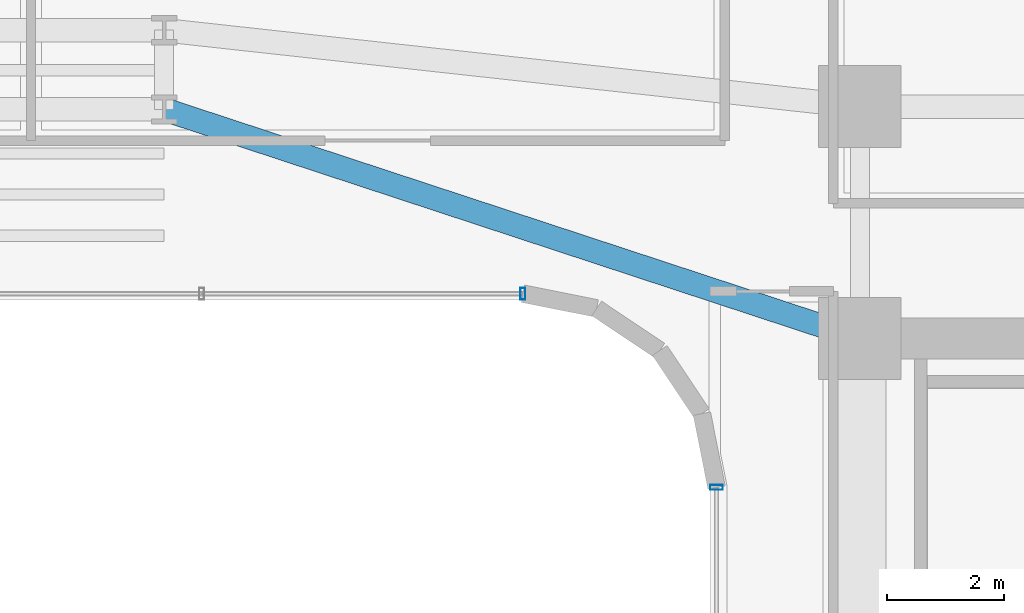
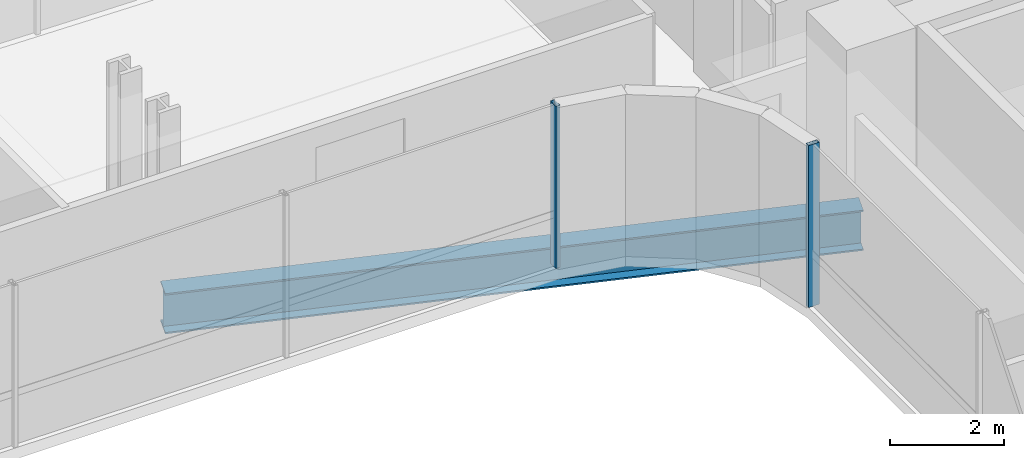
# One storey, part 17 of 40: 2 members, 1 beam, 2 elements without a shape of their own.
"""IFC4 building model written with IfcOpenShell, lengths in metres."""

import ifcopenshell
import ifcopenshell.guid

model = None  # the IFC model being written
_history = None  # IfcOwnerHistory: only IFC2X3 demands one
_inside = {}  # id of a spatial element -> (the spatial element, [elements in it])
_under = {}  # id of a project, library or spatial element -> (it, [spatial elements below it])
_declared = {}  # id of a project -> (the project, [libraries it declares])
_typed = {}  # id of a type object -> (the type object, [elements of that type])
_made_of = {}  # id of a material, layer set ... -> (it, [elements and type objects made of it])


def new_model(schema):
    """Start an empty IFC model of exactly this schema.

    Asked for "IFC4X3", IfcOpenShell would pick the latest addendum, in which some entities
    have other attributes; the version numbers below select the first issue.
    IFC2X3 requires an IfcOwnerHistory on every rooted entity: one is made here for all.
    """
    global model, _history
    if schema == "IFC4X3":
        model = ifcopenshell.file(schema_version=(4, 3, 0, 0))
    else:
        model = ifcopenshell.file(schema=schema)
    _inside.clear()
    _under.clear()
    _declared.clear()
    _typed.clear()
    _made_of.clear()
    _history = None
    if model.schema == "IFC2X3":
        org = make("IfcOrganization", Name="unknown")
        user = make(
            "IfcPersonAndOrganization",
            ThePerson=make("IfcPerson", FamilyName="unknown"),
            TheOrganization=org,
        )
        app = make(
            "IfcApplication",
            ApplicationDeveloper=org,
            Version="unknown",
            ApplicationFullName="unknown",
            ApplicationIdentifier="unknown",
        )
        _history = make(
            "IfcOwnerHistory",
            OwningUser=user,
            OwningApplication=app,
            ChangeAction="ADDED",
            CreationDate=0,
        )
    return model


def make(cls, **values):
    """One entity of the class cls with the attributes given. An attribute that is None is left unset."""
    return model.create_entity(
        cls, **{name: value for name, value in values.items() if value is not None}
    )


def rooted(cls, **values):
    """An entity with a GlobalId (a new one), such as an element, a storey or a relation."""
    return make(cls, GlobalId=ifcopenshell.guid.new(), OwnerHistory=_history, **values)


def si_unit(unit_type, name, prefix=None):
    """IfcSIUnit, for example si_unit("LENGTHUNIT", "METRE", prefix="MILLI")."""
    return make("IfcSIUnit", UnitType=unit_type, Prefix=prefix, Name=name)


def assignment(units):
    """IfcUnitAssignment: the units of a project."""
    return None if units is None else make("IfcUnitAssignment", Units=units)


def point(xyz):
    """IfcCartesianPoint."""
    return None if xyz is None else make("IfcCartesianPoint", Coordinates=xyz)


def direction(xyz):
    """IfcDirection."""
    return None if xyz is None else make("IfcDirection", DirectionRatios=xyz)


def frame(location, z_axis=None, x_axis=None):
    """IfcAxis2Placement3D, a coordinate frame: its origin and axes. An axis left out is left unset."""
    return make(
        "IfcAxis2Placement3D",
        Location=point(location),
        Axis=direction(z_axis),
        RefDirection=direction(x_axis),
    )


def frame_2d(location, x_axis=None):
    """IfcAxis2Placement2D, a coordinate frame in the plane: its origin and x axis."""
    return make(
        "IfcAxis2Placement2D", Location=point(location), RefDirection=direction(x_axis)
    )


def origin():
    """The frame at (0, 0, 0) with its axes left unset."""
    return frame((0.0, 0.0, 0.0))


def origin_2d():
    """The frame at (0, 0) in the plane with its x axis left unset."""
    return frame_2d((0.0, 0.0))


def place(relative_to, where):
    """IfcLocalPlacement: puts the frame where relative to a parent placement (None: the world)."""
    return make(
        "IfcLocalPlacement", PlacementRelTo=relative_to, RelativePlacement=where
    )


def context(
    kind, dimensions, precision=None, world=None, true_north=None, identifier=None
):
    """IfcGeometricRepresentationContext, for example the 3D "Model" context."""
    return make(
        "IfcGeometricRepresentationContext",
        ContextIdentifier=identifier,
        ContextType=kind,
        CoordinateSpaceDimension=dimensions,
        Precision=precision,
        WorldCoordinateSystem=world,
        TrueNorth=true_north,
    )


def subcontext(parent, identifier, kind, view, scale=None):
    """IfcGeometricRepresentationSubContext, for example "Body" below "Model"."""
    return make(
        "IfcGeometricRepresentationSubContext",
        ContextIdentifier=identifier,
        ContextType=kind,
        ParentContext=parent,
        TargetScale=scale,
        TargetView=view,
    )


def project(units=None, contexts=None):
    """IfcProject with its units and contexts."""
    return rooted(
        "IfcProject",
        Name="project",
        RepresentationContexts=contexts,
        UnitsInContext=assignment(units),
    )


def spatial(cls, under=None, at=None, **own):
    """A site, building, storey or space (cls), placed at a placement, below another one or the project."""
    s = rooted(cls, ObjectPlacement=at, **own)
    if under is not None:
        _under.setdefault(under.id(), (under, []))[1].append(s)
    return s


def profile(cls, at=None, kind="AREA", **sizes):
    """A parametric profile (cls). Its sizes go by their IFC names, for example OverallWidth=200.0."""
    return make(cls, ProfileType=kind, Position=at, **sizes)


def hollow_rectangle(**sizes):
    """IfcRectangleHollowProfileDef."""
    return profile("IfcRectangleHollowProfileDef", **sizes)


def i_section(**sizes):
    """IfcIShapeProfileDef."""
    return profile("IfcIShapeProfileDef", **sizes)


def extrude(swept, where, along, depth):
    """IfcExtrudedAreaSolid: the profile swept, set in the frame where, extruded along a direction by depth."""
    return make(
        "IfcExtrudedAreaSolid",
        SweptArea=swept,
        Position=where,
        ExtrudedDirection=direction(along),
        Depth=depth,
    )


def shape(context_of_items, identifier, shape_type, items):
    """IfcShapeRepresentation: the items that make up one representation, for example the "Body"."""
    return make(
        "IfcShapeRepresentation",
        ContextOfItems=context_of_items,
        RepresentationIdentifier=identifier,
        RepresentationType=shape_type,
        Items=items,
    )


def source(mapping_origin, context_of_items, identifier, shape_type, items):
    """IfcRepresentationMap: a shape defined once, which mapped items show again and again."""
    return make(
        "IfcRepresentationMap",
        MappingOrigin=mapping_origin,
        MappedRepresentation=shape(context_of_items, identifier, shape_type, items),
    )


def transform(
    local_origin,
    x_axis=None,
    y_axis=None,
    z_axis=None,
    scale=None,
    scale2=None,
    scale3=None,
    uniform=True,
):
    """IfcCartesianTransformationOperator3D, or its non-uniform kind. x_axis, y_axis, z_axis: its Axis1, 2, 3."""
    if uniform:
        return make(
            "IfcCartesianTransformationOperator3D",
            Axis1=direction(x_axis),
            Axis2=direction(y_axis),
            LocalOrigin=point(local_origin),
            Scale=scale,
            Axis3=direction(z_axis),
        )
    return make(
        "IfcCartesianTransformationOperator3DnonUniform",
        Axis1=direction(x_axis),
        Axis2=direction(y_axis),
        LocalOrigin=point(local_origin),
        Scale=scale,
        Axis3=direction(z_axis),
        Scale2=scale2,
        Scale3=scale3,
    )


def mapped(mapping_source, mapping_target):
    """IfcMappedItem: shows the shape of a source again, moved by a transform."""
    return make(
        "IfcMappedItem", MappingSource=mapping_source, MappingTarget=mapping_target
    )


def material(Name=None, Category=None):
    """IfcMaterial."""
    return make("IfcMaterial", Name=Name, Category=Category)


def material_profile(
    of_material, cross_section, Name=None, Category=None, Priority=None
):
    """IfcMaterialProfile: a cross section and its material."""
    return make(
        "IfcMaterialProfile",
        Name=Name,
        Material=of_material,
        Profile=cross_section,
        Priority=Priority,
        Category=Category,
    )


def profile_set(profiles, Name=None, composite=None):
    """IfcMaterialProfileSet."""
    return make(
        "IfcMaterialProfileSet",
        Name=Name,
        MaterialProfiles=profiles,
        CompositeProfile=composite,
    )


def made_of(thing, what):
    """Note that an element or type object is made of a material, layer set ...; save() writes the relation."""
    if what is not None:
        _made_of.setdefault(what.id(), (what, []))[1].append(thing)
    return thing


def type_object(cls, material=None, **own):
    """A type object (cls), such as IfcWallType, which elements share."""
    return made_of(rooted(cls, **own), material)


def element(
    cls,
    number,
    at=None,
    inside=None,
    cuts=None,
    type_object=None,
    material=None,
    context=None,
    identifier="Body",
    shape_type=None,
    held_by="IfcProductDefinitionShape",
    body=None,
    shapes=None,
    **own,
):
    """One element of the class cls, such as IfcWall. Its Tag is "e" and its number.

    at: its placement. inside: the storey or other place that contains it. cuts: it is an
    opening in that element (IfcRelVoidsElement). A single representation is given by context,
    identifier, shape_type and body (its items); several are given by shapes. held_by: the class
    of the entity that holds the representations. save() writes the other relations.
    """
    e = rooted(cls, Tag="e%d" % number, ObjectPlacement=at, **own)
    if body is not None:
        shapes = [shape(context, identifier, shape_type, body)]
    if shapes is not None:
        e.Representation = make(held_by, Representations=shapes)
    if inside is not None:
        _inside.setdefault(inside.id(), (inside, []))[1].append(e)
    if cuts is not None:
        rooted(
            "IfcRelVoidsElement", RelatingBuildingElement=cuts, RelatedOpeningElement=e
        )
    if type_object is not None:
        _typed.setdefault(type_object.id(), (type_object, []))[1].append(e)
    return made_of(e, material)


def aggregate(whole, parts):
    """IfcRelAggregates: a whole, such as a stair, and the parts it consists of."""
    return rooted("IfcRelAggregates", RelatingObject=whole, RelatedObjects=parts)


def save(model, path):
    """Write the relations noted so far, then the file.

    IfcRelAggregates (storeys below a building ...), IfcRelContainedInSpatialStructure (elements
    in a storey), IfcRelDefinesByType, IfcRelAssociatesMaterial and IfcRelDeclares: one each for
    every whole, place, type object, material and project.
    """
    for whole, parts in _under.values():
        aggregate(whole, parts)
    for where, things in _inside.values():
        rooted(
            "IfcRelContainedInSpatialStructure",
            RelatedElements=things,
            RelatingStructure=where,
        )
    for kind, things in _typed.values():
        rooted("IfcRelDefinesByType", RelatedObjects=things, RelatingType=kind)
    for what, things in _made_of.values():
        rooted("IfcRelAssociatesMaterial", RelatedObjects=things, RelatingMaterial=what)
    for by, libraries in _declared.values():
        rooted("IfcRelDeclares", RelatingContext=by, RelatedDefinitions=libraries)
    model.write(path)


model = new_model("IFC4")

# Units and contexts
model_context = context("Model", 3, precision=1e-05, world=origin(), true_north=direction((0.0, 1.0)))
body_context = subcontext(model_context, "Body", "Model", "MODEL_VIEW")
ifc_project = project(units=[si_unit("LENGTHUNIT", "METRE"), si_unit("AREAUNIT", "SQUARE_METRE"), si_unit("VOLUMEUNIT", "CUBIC_METRE"), si_unit("PLANEANGLEUNIT", "RADIAN"), si_unit("MASSUNIT", "GRAM", prefix="KILO")], contexts=[model_context])

# Site, building, storey
site_placement = place(None, origin())
site = spatial("IfcSite", under=ifc_project, at=site_placement, CompositionType="ELEMENT")
building_placement = place(site_placement, origin())
building = spatial("IfcBuilding", under=site, at=building_placement, Name="Valdorenza Pilgrim Sanctuary Tower", CompositionType="ELEMENT")
storey_placement = place(building_placement, frame((0.0, 0.0, 51.89990234375)))
storey = spatial("IfcBuildingStorey", under=building, at=storey_placement, Name="L12", CompositionType="ELEMENT", Elevation=51.89990234375)

# Beam
ifc_material_1 = material(Name="Steel ASTM A992 Grade 50", Category="steel")
ifc_material_profile_1 = material_profile(ifc_material_1, i_section(OverallWidth=0.39990234375, OverallDepth=0.862060546875, WebThickness=0.019775390625, FlangeThickness=0.032470703125, at=origin_2d()), Name="W33X221")
ifc_profile_set_1 = profile_set([ifc_material_profile_1], Name="Steel ASTM A992 Grade 50")
beam_type = type_object("IfcBeamType", Name="STR-BM-GRD-W33", PredefinedType="BEAM", material=ifc_profile_set_1)
shared_shape_1 = source(origin(), body_context, "Body", "SweptSolid", [
    extrude(i_section(OverallWidth=0.39990234375, OverallDepth=0.862060546875, WebThickness=0.019775390625, FlangeThickness=0.032470703125, at=origin_2d()), origin(), (0.0, 0.0, 1.0), 12.475341796875),
])
beam_placement = place(storey_placement, frame((4.0, 13.449951171875, -0.6708984375), z_axis=(0.949881908141, -0.312608957943, 0.0), x_axis=(0.312608957943, 0.949881908141, 0.0)))
element("IfcBeam", 1, at=beam_placement, inside=storey, type_object=beam_type, Name="L12 Floor Girder KNK-G3", PredefinedType="BEAM", context=body_context, shape_type="MappedRepresentation", body=[
    mapped(shared_shape_1, transform((0.0, 0.0, 0.0), x_axis=(1.0, 0.0, 0.0), y_axis=(0.0, 1.0, 0.0), z_axis=(0.0, 0.0, 1.0), scale=1.0)),
])

# Curtain wall, member
ifc_material_2 = material(Name="Curtain-wall IGU glazing", Category="glass")
curtain_wall_type_1 = type_object("IfcCurtainWallType", Name="CW-SYS-02", PredefinedType="NOTDEFINED", material=ifc_material_2)
curtain_wall_1_placement = place(storey_placement, origin())
curtain_wall_1 = element("IfcCurtainWall", 2, at=curtain_wall_1_placement, inside=storey, type_object=curtain_wall_type_1, Name="L12 Curtain Wall CW-L12-1-36", PredefinedType="NOTDEFINED")
ifc_material_3 = material(Name="Anodised aluminium AW-6060", Category="aluminium")
ifc_material_profile_2 = material_profile(ifc_material_3, hollow_rectangle(XDim=0.0849609375, YDim=0.199951171875, WallThickness=0.0048828125, at=origin_2d()), Name="ALU-M 200x85x5")
ifc_profile_set_2 = profile_set([ifc_material_profile_2], Name="Anodised aluminium AW-6060")
member_type_1 = type_object("IfcMemberType", Name="CW-MUL-02", PredefinedType="MULLION", material=ifc_profile_set_2)
shared_shape_2 = source(origin(), body_context, "Body", "SweptSolid", [
    extrude(hollow_rectangle(XDim=0.0849609375, YDim=0.199951171875, WallThickness=0.0048828125, at=origin_2d()), origin(), (0.0, 0.0, 1.0), 3.460205078125),
])
member_1_placement = place(storey_placement, frame((10.11083984375, 10.31005859375, 0.0), z_axis=(0.0, 0.0, 1.0), x_axis=(-1.0, 0.0, 0.0)))
member_1 = element("IfcMember", 3, at=member_1_placement, type_object=member_type_1, Name="CW-L12-1-36 Mullion 1", PredefinedType="MULLION", context=body_context, shape_type="MappedRepresentation", body=[
    mapped(shared_shape_2, transform((0.0, 0.0, 0.0), x_axis=(1.0, 0.0, 0.0), y_axis=(0.0, 1.0, 0.0), z_axis=(0.0, 0.0, 1.0), scale=1.0)),
])
aggregate(curtain_wall_1, [member_1])

curtain_wall_type_2 = type_object("IfcCurtainWallType", Name="CW-SYS-03", PredefinedType="NOTDEFINED", material=ifc_material_2)
curtain_wall_2_placement = place(storey_placement, origin())
curtain_wall_2 = element("IfcCurtainWall", 4, at=curtain_wall_2_placement, inside=storey, type_object=curtain_wall_type_2, Name="L12 Curtain Wall CW-L12-1-31", PredefinedType="NOTDEFINED")
ifc_material_profile_3 = material_profile(ifc_material_3, hollow_rectangle(XDim=0.0849609375, YDim=0.219970703125, WallThickness=0.0048828125, at=origin_2d()), Name="ALU-M 220x85x5")
ifc_profile_set_3 = profile_set([ifc_material_profile_3], Name="Anodised aluminium AW-6060")
member_type_2 = type_object("IfcMemberType", Name="CW-MUL-03", PredefinedType="MULLION", material=ifc_profile_set_3)
shared_shape_3 = source(origin(), body_context, "Body", "SweptSolid", [
    extrude(hollow_rectangle(XDim=0.0849609375, YDim=0.219970703125, WallThickness=0.0048828125, at=origin_2d()), origin(), (0.0, 0.0, 1.0), 3.460205078125),
])
member_2_placement = place(storey_placement, frame((13.409912109375, 7.0107421875, 0.0), z_axis=(0.0, 0.0, 1.0), x_axis=(0.0, 1.0, 0.0)))
member_2 = element("IfcMember", 5, at=member_2_placement, type_object=member_type_2, Name="CW-L12-1-31 Mullion 4", PredefinedType="MULLION", context=body_context, shape_type="MappedRepresentation", body=[
    mapped(shared_shape_3, transform((0.0, 0.0, 0.0), x_axis=(1.0, 0.0, 0.0), y_axis=(0.0, 1.0, 0.0), z_axis=(0.0, 0.0, 1.0), scale=1.0)),
])
aggregate(curtain_wall_2, [member_2])

save(model, "model.ifc")
